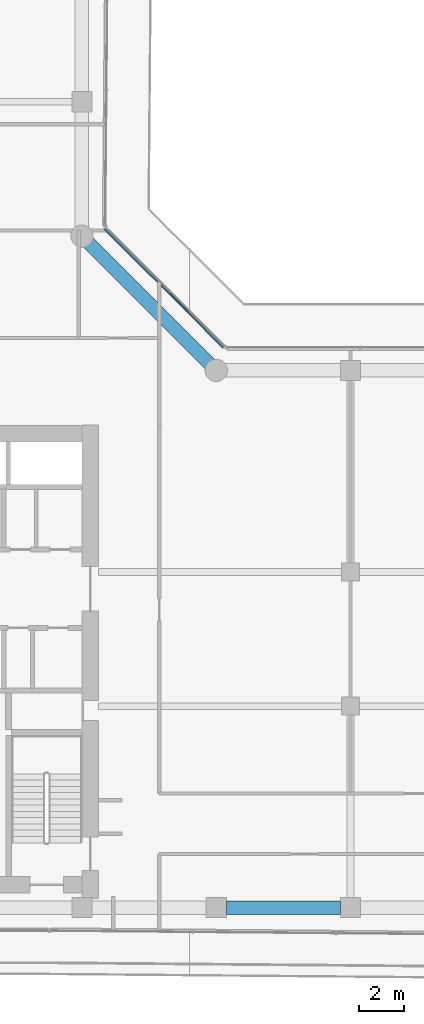
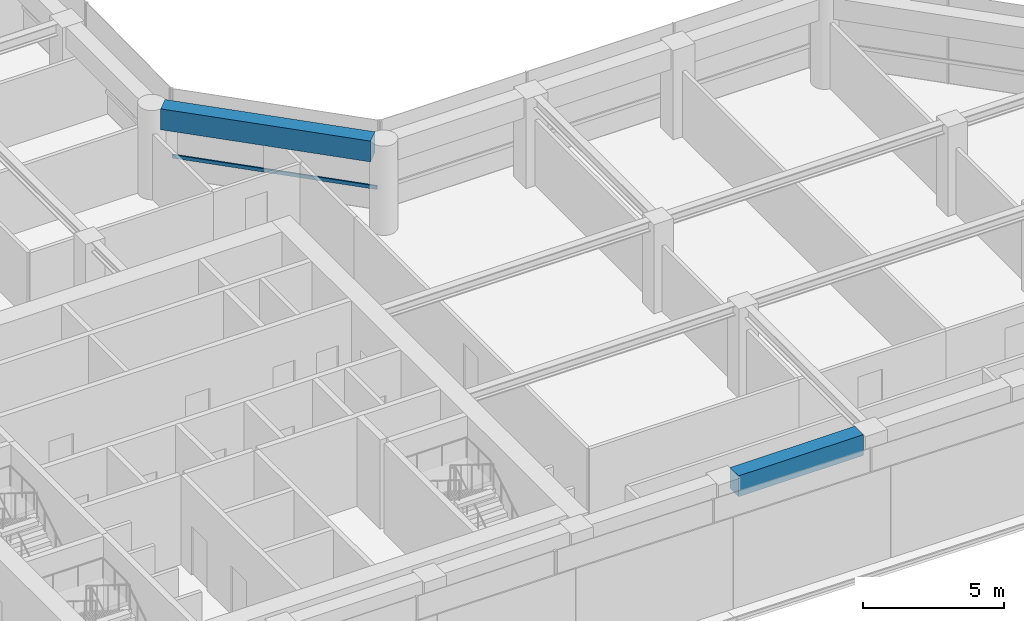
# One storey, part 5 of 23: 2 beams, 1 member, 1 element without a shape of its own.
"""IFC4 building model written with IfcOpenShell, lengths in metres."""

import ifcopenshell
import ifcopenshell.guid

model = None  # the IFC model being written
_history = None  # IfcOwnerHistory: only IFC2X3 demands one
_inside = {}  # id of a spatial element -> (the spatial element, [elements in it])
_under = {}  # id of a project, library or spatial element -> (it, [spatial elements below it])
_declared = {}  # id of a project -> (the project, [libraries it declares])
_typed = {}  # id of a type object -> (the type object, [elements of that type])
_made_of = {}  # id of a material, layer set ... -> (it, [elements and type objects made of it])


def new_model(schema):
    """Start an empty IFC model of exactly this schema.

    Asked for "IFC4X3", IfcOpenShell would pick the latest addendum, in which some entities
    have other attributes; the version numbers below select the first issue.
    IFC2X3 requires an IfcOwnerHistory on every rooted entity: one is made here for all.
    """
    global model, _history
    if schema == "IFC4X3":
        model = ifcopenshell.file(schema_version=(4, 3, 0, 0))
    else:
        model = ifcopenshell.file(schema=schema)
    _inside.clear()
    _under.clear()
    _declared.clear()
    _typed.clear()
    _made_of.clear()
    _history = None
    if model.schema == "IFC2X3":
        org = make("IfcOrganization", Name="unknown")
        user = make(
            "IfcPersonAndOrganization",
            ThePerson=make("IfcPerson", FamilyName="unknown"),
            TheOrganization=org,
        )
        app = make(
            "IfcApplication",
            ApplicationDeveloper=org,
            Version="unknown",
            ApplicationFullName="unknown",
            ApplicationIdentifier="unknown",
        )
        _history = make(
            "IfcOwnerHistory",
            OwningUser=user,
            OwningApplication=app,
            ChangeAction="ADDED",
            CreationDate=0,
        )
    return model


def make(cls, **values):
    """One entity of the class cls with the attributes given. An attribute that is None is left unset."""
    return model.create_entity(
        cls, **{name: value for name, value in values.items() if value is not None}
    )


def rooted(cls, **values):
    """An entity with a GlobalId (a new one), such as an element, a storey or a relation."""
    return make(cls, GlobalId=ifcopenshell.guid.new(), OwnerHistory=_history, **values)


def si_unit(unit_type, name, prefix=None):
    """IfcSIUnit, for example si_unit("LENGTHUNIT", "METRE", prefix="MILLI")."""
    return make("IfcSIUnit", UnitType=unit_type, Prefix=prefix, Name=name)


def assignment(units):
    """IfcUnitAssignment: the units of a project."""
    return None if units is None else make("IfcUnitAssignment", Units=units)


def point(xyz):
    """IfcCartesianPoint."""
    return None if xyz is None else make("IfcCartesianPoint", Coordinates=xyz)


def direction(xyz):
    """IfcDirection."""
    return None if xyz is None else make("IfcDirection", DirectionRatios=xyz)


def frame(location, z_axis=None, x_axis=None):
    """IfcAxis2Placement3D, a coordinate frame: its origin and axes. An axis left out is left unset."""
    return make(
        "IfcAxis2Placement3D",
        Location=point(location),
        Axis=direction(z_axis),
        RefDirection=direction(x_axis),
    )


def frame_2d(location, x_axis=None):
    """IfcAxis2Placement2D, a coordinate frame in the plane: its origin and x axis."""
    return make(
        "IfcAxis2Placement2D", Location=point(location), RefDirection=direction(x_axis)
    )


def origin():
    """The frame at (0, 0, 0) with its axes left unset."""
    return frame((0.0, 0.0, 0.0))


def origin_2d():
    """The frame at (0, 0) in the plane with its x axis left unset."""
    return frame_2d((0.0, 0.0))


def place(relative_to, where):
    """IfcLocalPlacement: puts the frame where relative to a parent placement (None: the world)."""
    return make(
        "IfcLocalPlacement", PlacementRelTo=relative_to, RelativePlacement=where
    )


def context(
    kind, dimensions, precision=None, world=None, true_north=None, identifier=None
):
    """IfcGeometricRepresentationContext, for example the 3D "Model" context."""
    return make(
        "IfcGeometricRepresentationContext",
        ContextIdentifier=identifier,
        ContextType=kind,
        CoordinateSpaceDimension=dimensions,
        Precision=precision,
        WorldCoordinateSystem=world,
        TrueNorth=true_north,
    )


def subcontext(parent, identifier, kind, view, scale=None):
    """IfcGeometricRepresentationSubContext, for example "Body" below "Model"."""
    return make(
        "IfcGeometricRepresentationSubContext",
        ContextIdentifier=identifier,
        ContextType=kind,
        ParentContext=parent,
        TargetScale=scale,
        TargetView=view,
    )


def project(units=None, contexts=None):
    """IfcProject with its units and contexts."""
    return rooted(
        "IfcProject",
        Name="project",
        RepresentationContexts=contexts,
        UnitsInContext=assignment(units),
    )


def spatial(cls, under=None, at=None, **own):
    """A site, building, storey or space (cls), placed at a placement, below another one or the project."""
    s = rooted(cls, ObjectPlacement=at, **own)
    if under is not None:
        _under.setdefault(under.id(), (under, []))[1].append(s)
    return s


def profile(cls, at=None, kind="AREA", **sizes):
    """A parametric profile (cls). Its sizes go by their IFC names, for example OverallWidth=200.0."""
    return make(cls, ProfileType=kind, Position=at, **sizes)


def rectangle(**sizes):
    """IfcRectangleProfileDef."""
    return profile("IfcRectangleProfileDef", **sizes)


def extrude(swept, where, along, depth):
    """IfcExtrudedAreaSolid: the profile swept, set in the frame where, extruded along a direction by depth."""
    return make(
        "IfcExtrudedAreaSolid",
        SweptArea=swept,
        Position=where,
        ExtrudedDirection=direction(along),
        Depth=depth,
    )


def shape(context_of_items, identifier, shape_type, items):
    """IfcShapeRepresentation: the items that make up one representation, for example the "Body"."""
    return make(
        "IfcShapeRepresentation",
        ContextOfItems=context_of_items,
        RepresentationIdentifier=identifier,
        RepresentationType=shape_type,
        Items=items,
    )


def material(Name=None, Category=None):
    """IfcMaterial."""
    return make("IfcMaterial", Name=Name, Category=Category)


def layer(
    of_material, thickness, ventilated=None, Name=None, Category=None, Priority=None
):
    """IfcMaterialLayer: one layer of a wall or slab, of a material (None: an air gap)."""
    return make(
        "IfcMaterialLayer",
        Material=of_material,
        LayerThickness=thickness,
        IsVentilated=ventilated,
        Name=Name,
        Category=Category,
        Priority=Priority,
    )


def layer_set(layers, Name=None):
    """IfcMaterialLayerSet."""
    return make("IfcMaterialLayerSet", MaterialLayers=layers, LayerSetName=Name)


def material_profile(
    of_material, cross_section, Name=None, Category=None, Priority=None
):
    """IfcMaterialProfile: a cross section and its material."""
    return make(
        "IfcMaterialProfile",
        Name=Name,
        Material=of_material,
        Profile=cross_section,
        Priority=Priority,
        Category=Category,
    )


def profile_set(profiles, Name=None, composite=None):
    """IfcMaterialProfileSet."""
    return make(
        "IfcMaterialProfileSet",
        Name=Name,
        MaterialProfiles=profiles,
        CompositeProfile=composite,
    )


def made_of(thing, what):
    """Note that an element or type object is made of a material, layer set ...; save() writes the relation."""
    if what is not None:
        _made_of.setdefault(what.id(), (what, []))[1].append(thing)
    return thing


def type_object(cls, material=None, **own):
    """A type object (cls), such as IfcWallType, which elements share."""
    return made_of(rooted(cls, **own), material)


def element(
    cls,
    number,
    at=None,
    inside=None,
    cuts=None,
    type_object=None,
    material=None,
    context=None,
    identifier="Body",
    shape_type=None,
    held_by="IfcProductDefinitionShape",
    body=None,
    shapes=None,
    **own,
):
    """One element of the class cls, such as IfcWall. Its Tag is "e" and its number.

    at: its placement. inside: the storey or other place that contains it. cuts: it is an
    opening in that element (IfcRelVoidsElement). A single representation is given by context,
    identifier, shape_type and body (its items); several are given by shapes. held_by: the class
    of the entity that holds the representations. save() writes the other relations.
    """
    e = rooted(cls, Tag="e%d" % number, ObjectPlacement=at, **own)
    if body is not None:
        shapes = [shape(context, identifier, shape_type, body)]
    if shapes is not None:
        e.Representation = make(held_by, Representations=shapes)
    if inside is not None:
        _inside.setdefault(inside.id(), (inside, []))[1].append(e)
    if cuts is not None:
        rooted(
            "IfcRelVoidsElement", RelatingBuildingElement=cuts, RelatedOpeningElement=e
        )
    if type_object is not None:
        _typed.setdefault(type_object.id(), (type_object, []))[1].append(e)
    return made_of(e, material)


def aggregate(whole, parts):
    """IfcRelAggregates: a whole, such as a stair, and the parts it consists of."""
    return rooted("IfcRelAggregates", RelatingObject=whole, RelatedObjects=parts)


def save(model, path):
    """Write the relations noted so far, then the file.

    IfcRelAggregates (storeys below a building ...), IfcRelContainedInSpatialStructure (elements
    in a storey), IfcRelDefinesByType, IfcRelAssociatesMaterial and IfcRelDeclares: one each for
    every whole, place, type object, material and project.
    """
    for whole, parts in _under.values():
        aggregate(whole, parts)
    for where, things in _inside.values():
        rooted(
            "IfcRelContainedInSpatialStructure",
            RelatedElements=things,
            RelatingStructure=where,
        )
    for kind, things in _typed.values():
        rooted("IfcRelDefinesByType", RelatedObjects=things, RelatingType=kind)
    for what, things in _made_of.values():
        rooted("IfcRelAssociatesMaterial", RelatedObjects=things, RelatingMaterial=what)
    for by, libraries in _declared.values():
        rooted("IfcRelDeclares", RelatingContext=by, RelatedDefinitions=libraries)
    model.write(path)


model = new_model("IFC4")

# Units and contexts
model_context = context("Model", 3, precision=1e-05, world=origin(), true_north=direction((0.0, 1.0)))
body_context = subcontext(model_context, "Body", "Model", "MODEL_VIEW")
ifc_project = project(units=[si_unit("LENGTHUNIT", "METRE"), si_unit("AREAUNIT", "SQUARE_METRE"), si_unit("VOLUMEUNIT", "CUBIC_METRE"), si_unit("PLANEANGLEUNIT", "RADIAN"), si_unit("MASSUNIT", "GRAM", prefix="KILO")], contexts=[model_context])

# Site, building, storey
site_placement = place(None, origin())
site = spatial("IfcSite", under=ifc_project, at=site_placement, CompositionType="ELEMENT")
building_placement = place(site_placement, origin())
building = spatial("IfcBuilding", under=site, at=building_placement, Name="Welwitschia Terrace Campus", CompositionType="ELEMENT")
storey_placement = place(building_placement, frame((0.0, 0.0, 113.0)))
storey = spatial("IfcBuildingStorey", under=building, at=storey_placement, Name="L25", CompositionType="ELEMENT", Elevation=113.0)

# Beams
ifc_material_1 = material(Name="Concrete C60/75", Category="concrete")
ifc_material_profile_1 = material_profile(ifc_material_1, rectangle(XDim=0.60009765625, YDim=0.89990234375, at=origin_2d()))
ifc_profile_set_1 = profile_set([ifc_material_profile_1], Name="Concrete C60/75")
beam_type = type_object("IfcBeamType", Name="Ring spandrel 600x900", PredefinedType="SPANDREL", material=ifc_profile_set_1)
beam_1_placement = place(storey_placement, frame((30.450439453125, 4.0, 3.39990234375), z_axis=(1.0, 0.0, 0.0), x_axis=(0.0, 1.0, 0.0)))
element("IfcBeam", 1, at=beam_1_placement, inside=storey, type_object=beam_type, Name="Spandrel SP2", PredefinedType="SPANDREL", context=body_context, shape_type="SweptSolid", body=[
    extrude(rectangle(XDim=0.60009765625, YDim=0.89990234375, at=origin_2d()), origin(), (0.0, 0.0, 1.0), 5.09912109375),
])
beam_2_placement = place(storey_placement, frame((29.716796875, 28.283203125, 3.39990234375), z_axis=(-0.707106781187, 0.707106781187, 0.0), x_axis=(-0.707106781187, -0.707106781187, 0.0)))
element("IfcBeam", 2, at=beam_2_placement, inside=storey, type_object=beam_type, Name="Spandrel SP2", PredefinedType="SPANDREL", context=body_context, shape_type="SweptSolid", body=[
    extrude(rectangle(XDim=0.60009765625, YDim=0.89990234375, at=origin_2d()), origin(), (0.0, 0.0, 1.0), 7.684326171875),
])

# Curtain wall, member
ifc_material_2 = material(Name="Bronze anodised aluminium", Category="aluminium")
ifc_layer = layer(ifc_material_2, 0.1201171875)
ifc_layer_set = layer_set([ifc_layer], Name="Bronze anodised aluminium")
curtain_wall_type = type_object("IfcCurtainWallType", Name="Curtain wall CW2 tower 6000", PredefinedType="NOTDEFINED", material=ifc_layer_set)
curtain_wall_placement = place(storey_placement, origin())
curtain_wall = element("IfcCurtainWall", 3, at=curtain_wall_placement, inside=storey, type_object=curtain_wall_type, Name="CW L25.10.0", PredefinedType="NOTDEFINED")
ifc_material_3 = material(Name="Bronze anodised aluminium", Category="aluminium")
ifc_material_profile_2 = material_profile(ifc_material_3, rectangle(XDim=0.06005859375, YDim=0.14990234375, at=origin_2d()))
ifc_profile_set_2 = profile_set([ifc_material_profile_2], Name="Bronze anodised aluminium")
member_type = type_object("IfcMemberType", Name="Transom 60x150", PredefinedType="USERDEFINED", material=ifc_profile_set_2)
member_placement = place(storey_placement, frame((30.320556640625, 29.0087890625, 1.0), z_axis=(-0.707090497596, 0.707123064402, 0.0), x_axis=(-0.707123064402, -0.707090497596, 0.0)))
member = element("IfcMember", 4, at=member_placement, type_object=member_type, Name="Transom L25.10.0", ObjectType="TRANSOM", PredefinedType="USERDEFINED", context=body_context, shape_type="SweptSolid", body=[
    extrude(rectangle(XDim=0.06005859375, YDim=0.14990234375, at=origin_2d()), origin(), (0.0, 0.0, 1.0), 7.49658203125),
])
aggregate(curtain_wall, [member])

save(model, "model.ifc")
